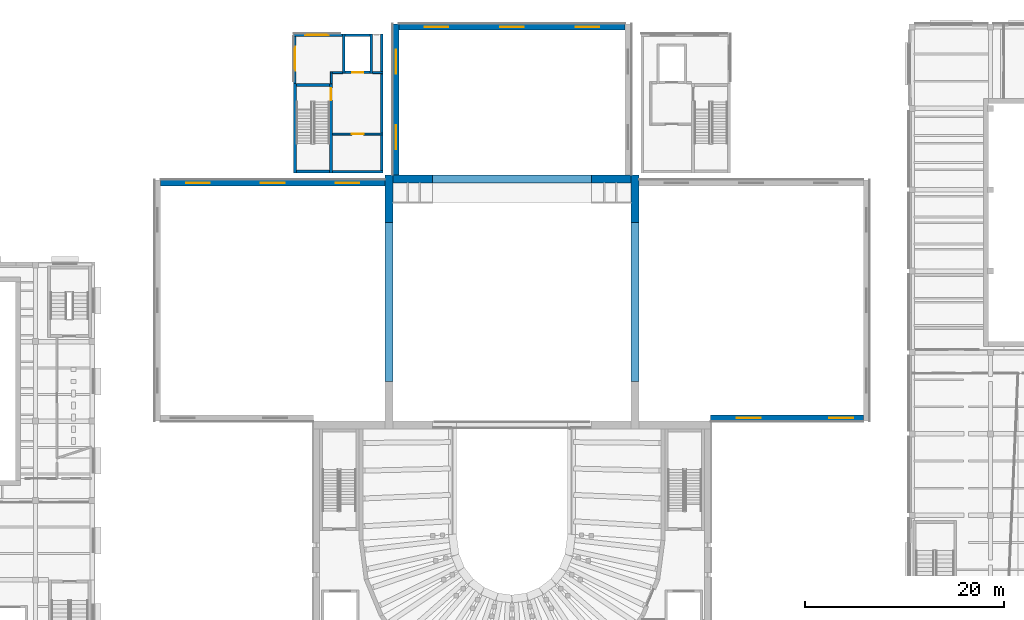
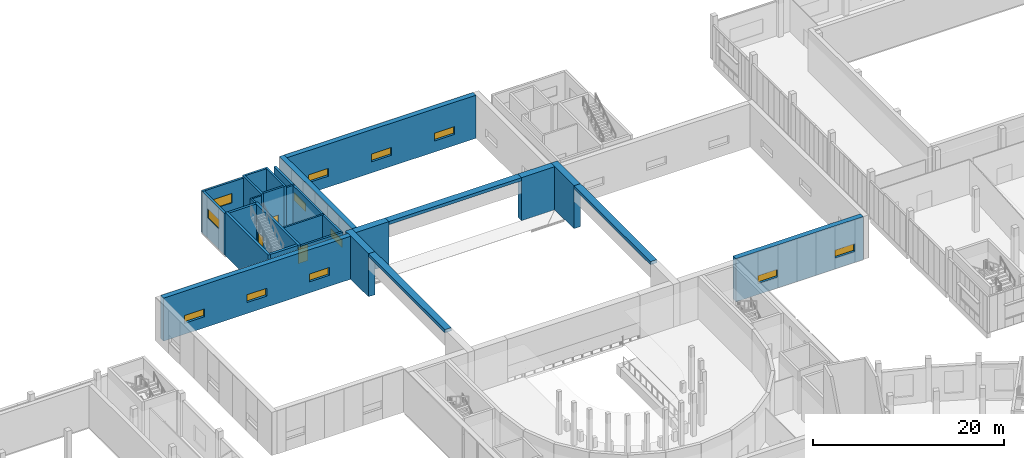
# One storey, part 40 of 87: 29 walls, 12 windows, 3 doors, 15 openings.
"""IFC4 building model written with IfcOpenShell, lengths in metres."""

from ifc_helpers import new_model, si_unit, direction, frame, frame_2d, origin, place, context, subcontext, project, spatial, rectangle, extrude, material, layer, layer_set, type_object, element, fill, save


model = new_model("IFC4")

# Units and contexts
model_context = context("Model", 3, precision=1e-05, world=origin(), true_north=direction((0.0, 1.0)))
body_context = subcontext(model_context, "Body", "Model", "MODEL_VIEW")
ifc_project = project(units=[si_unit("LENGTHUNIT", "METRE"), si_unit("AREAUNIT", "SQUARE_METRE"), si_unit("VOLUMEUNIT", "CUBIC_METRE"), si_unit("PLANEANGLEUNIT", "RADIAN"), si_unit("MASSUNIT", "GRAM", prefix="KILO")], contexts=[model_context])

# Site, building, storey
site_placement = place(None, origin())
site = spatial("IfcSite", under=ifc_project, at=site_placement, CompositionType="ELEMENT")
building_placement = place(site_placement, origin())
building = spatial("IfcBuilding", under=site, at=building_placement, Name="Lunette Opera House", CompositionType="ELEMENT")
storey_placement = place(building_placement, frame((0.0, 0.0, 11.5)))
storey = spatial("IfcBuildingStorey", under=building, at=storey_placement, Name="L02", CompositionType="ELEMENT", Elevation=11.5)

# Walls
ifc_material_1 = material(Name="Concrete C35/45", Category="concrete")
ifc_layer_1 = layer(ifc_material_1, 0.199951171875)
ifc_layer_set_1 = layer_set([ifc_layer_1], Name="Concrete C35/45")
wall_type_1 = type_object("IfcWallType", Name="LOBBY WALL 200", PredefinedType="PARTITIONING", material=ifc_layer_set_1)
for number, where, z_axis, x_axis, name in (
    (1, (83.0, 131.10009765625, 0.0), (0.0, 0.0, 1.0), (-1.0, 0.0, 0.0), "LL-SW lobby wall 2a"),
    (2, (78.929931640625, 131.10009765625, 0.0), (0.0, 0.0, 1.0), (-1.0, 0.0, 0.0), "LL-SW lobby wall 2b"),
):
    element("IfcWall", number, at=place(storey_placement, frame(where, z_axis=z_axis, x_axis=x_axis)), inside=storey, type_object=wall_type_1, Name=name, PredefinedType="PARTITIONING", context=body_context, shape_type="SweptSolid", body=[
        extrude(rectangle(XDim=1.030029296875, YDim=0.199951171875, at=frame_2d((0.51513671875, 0.0))), origin(), (0.0, 0.0, 1.0), 5.280029296875),
    ])
wall_1_placement = place(storey_placement, frame((77.800048828125, 131.199951171875, 0.0), z_axis=(0.0, 0.0, 1.0), x_axis=(0.0, -1.0, 0.0)))
element("IfcWall", 3, at=wall_1_placement, inside=storey, type_object=wall_type_1, Name="LL-SW lobby wall 3a", PredefinedType="PARTITIONING", context=body_context, shape_type="SweptSolid", body=[
    extrude(rectangle(XDim=1.2099609375, YDim=0.199951171875, at=frame_2d((0.60498046875, 0.0))), origin(), (0.0, 0.0, 1.0), 5.280029296875),
])

# Wall, opening, door
wall_2_placement = place(storey_placement, frame((77.919921875, 124.89990234375, 0.0), z_axis=(0.0, 0.0, 1.0), x_axis=(1.0, 0.0, 0.0)))
wall_2 = element("IfcWall", 4, at=wall_2_placement, inside=storey, type_object=wall_type_1, Name="LL-SW lobby wall 4a", PredefinedType="PARTITIONING", context=body_context, shape_type="SweptSolid", body=[
    extrude(rectangle(XDim=5.080078125, YDim=0.199951171875, at=frame_2d((2.5400390625, 0.0))), origin(), (0.0, 0.0, 1.0), 5.280029296875),
])
opening_1_placement = place(wall_2_placement, frame((1.93994140625, 0.0, 0.0)))
opening_1 = element("IfcOpeningElement", 5, at=opening_1_placement, cuts=wall_2, Name="Opening ST-D7036", PredefinedType="OPENING", context=body_context, shape_type="SweptSolid", body=[
    extrude(rectangle(XDim=1.199951171875, YDim=2.10009765625, at=frame_2d((0.60009765625, 1.050048828125))), frame((0.0, 0.112060546875, 0.0), z_axis=(0.0, -1.0, 0.0), x_axis=(1.0, 0.0, 0.0)), (0.0, 0.0, 1.0), 0.223876953125),
])
ifc_material_2 = material(Name="Steel", Category="steel")
door_type_1 = type_object("IfcDoorType", Name="FIRE DOOR 1200 X 2100", OperationType="SINGLE_SWING_LEFT", PredefinedType="DOOR", material=ifc_material_2)
door_1_placement = place(opening_1_placement, origin())
door_1 = element("IfcDoor", 6, at=door_1_placement, inside=storey, type_object=door_type_1, Name="LL-SW lobby door", OperationType="SINGLE_SWING_LEFT", OverallHeight=2.10009765625, OverallWidth=1.199951171875, PredefinedType="DOOR", context=body_context, shape_type="SweptSolid", body=[
    extrude(rectangle(XDim=1.199951171875, YDim=2.10009765625, at=frame_2d((0.60009765625, 1.050048828125))), frame((0.0, 0.02490234375, 0.0), z_axis=(0.0, -1.0, 0.0), x_axis=(1.0, 0.0, 0.0)), (0.0, 0.0, 1.0), 0.050048828125),
])
fill(opening_1, door_1)

# Walls
ifc_material_3 = material(Name="Concrete C35/45", Category="concrete")
ifc_layer_2 = layer(ifc_material_3, 0.25)
ifc_layer_set_2 = layer_set([ifc_layer_2], Name="Concrete C35/45")
wall_type_2 = type_object("IfcWallType", Name="RC LIFT SHAFT WALL 250", PredefinedType="SOLIDWALL", material=ifc_layer_set_2)
wall_3_placement = place(storey_placement, frame((81.824951171875, 131.0, 0.0), z_axis=(0.0, 0.0, 1.0), x_axis=(0.0, 1.0, 0.0)))
element("IfcWall", 7, at=wall_3_placement, inside=storey, type_object=wall_type_2, Name="LF7 shaft wall 1", PredefinedType="SOLIDWALL", context=body_context, shape_type="SweptSolid", body=[
    extrude(rectangle(XDim=4.0, YDim=0.25, at=frame_2d((2.0, 0.0))), origin(), (0.0, 0.0, 1.0), 5.5),
])
wall_4_placement = place(storey_placement, frame((81.699951171875, 134.875, 0.0), z_axis=(0.0, 0.0, 1.0), x_axis=(-1.0, 0.0, 0.0)))
element("IfcWall", 8, at=wall_4_placement, inside=storey, type_object=wall_type_2, Name="LF7 shaft wall 2", PredefinedType="SOLIDWALL", context=body_context, shape_type="SweptSolid", body=[
    extrude(rectangle(XDim=2.5, YDim=0.25, at=frame_2d((1.25, 0.0))), origin(), (0.0, 0.0, 1.0), 5.5),
])
wall_5_placement = place(storey_placement, frame((79.074951171875, 135.0, 0.0), z_axis=(0.0, 0.0, 1.0), x_axis=(0.0, -1.0, 0.0)))
element("IfcWall", 9, at=wall_5_placement, inside=storey, type_object=wall_type_2, Name="LF7 shaft wall 3", PredefinedType="SOLIDWALL", context=body_context, shape_type="SweptSolid", body=[
    extrude(rectangle(XDim=4.0, YDim=0.25, at=frame_2d((2.0, 0.0))), origin(), (0.0, 0.0, 1.0), 5.5),
])

# Wall, opening, door
wall_6_placement = place(storey_placement, frame((79.199951171875, 131.125, 0.0), z_axis=(0.0, 0.0, 1.0), x_axis=(1.0, 0.0, 0.0)))
wall_6 = element("IfcWall", 10, at=wall_6_placement, inside=storey, type_object=wall_type_2, Name="LF7 shaft wall 4", PredefinedType="SOLIDWALL", context=body_context, shape_type="SweptSolid", body=[
    extrude(rectangle(XDim=2.5, YDim=0.25, at=frame_2d((1.25, 0.0))), origin(), (0.0, 0.0, 1.0), 5.5),
])
opening_2_placement = place(wall_6_placement, frame((0.699951171875, 0.0, 0.0)))
opening_2 = element("IfcOpeningElement", 11, at=opening_2_placement, cuts=wall_6, Name="Opening ST-LD014", PredefinedType="OPENING", context=body_context, shape_type="SweptSolid", body=[
    extrude(rectangle(XDim=1.10009765625, YDim=2.10009765625, at=frame_2d((0.550048828125, 1.050048828125))), frame((0.0, 0.136962890625, 0.0), z_axis=(0.0, -1.0, 0.0), x_axis=(1.0, 0.0, 0.0)), (0.0, 0.0, 1.0), 0.27392578125),
])
ifc_material_4 = material(Name="Stainless steel", Category="steel")
door_type_2 = type_object("IfcDoorType", Name="LIFT LANDING DOOR 1100 X 2100", OperationType="DOUBLE_DOOR_SLIDING", PredefinedType="DOOR", material=ifc_material_4)
door_2_placement = place(opening_2_placement, origin())
door_2 = element("IfcDoor", 12, at=door_2_placement, inside=storey, type_object=door_type_2, Name="LF7 lift landing door", OperationType="DOUBLE_DOOR_SLIDING", OverallHeight=2.10009765625, OverallWidth=1.10009765625, PredefinedType="DOOR", context=body_context, shape_type="SweptSolid", body=[
    extrude(rectangle(XDim=1.10009765625, YDim=2.10009765625, at=frame_2d((0.550048828125, 1.050048828125))), frame((0.0, 0.02490234375, 0.0), z_axis=(0.0, -1.0, 0.0), x_axis=(1.0, 0.0, 0.0)), (0.0, 0.0, 1.0), 0.050048828125),
])
fill(opening_2, door_2)

ifc_material_5 = material(Name="Concrete C35/45", Category="concrete")
ifc_layer_3 = layer(ifc_material_5, 0.300048828125)
ifc_layer_set_3 = layer_set([ifc_layer_3], Name="Concrete C35/45")
wall_type_3 = type_object("IfcWallType", Name="RC STAIR ENCLOSURE WALL 300", PredefinedType="SOLIDWALL", material=ifc_layer_set_3)
wall_7_placement = place(storey_placement, frame((77.75, 121.0, 0.0), z_axis=(0.0, 0.0, 1.0), x_axis=(0.0, 1.0, 0.0)))
wall_7 = element("IfcWall", 13, at=wall_7_placement, inside=storey, type_object=wall_type_3, Name="ST11 enclosure wall 1", PredefinedType="SOLIDWALL", context=body_context, shape_type="SweptSolid", body=[
    extrude(rectangle(XDim=9.0, YDim=0.300048828125, at=frame_2d((4.5, 0.0))), origin(), (0.0, 0.0, 1.0), 5.5),
])
opening_3_placement = place(wall_7_placement, frame((7.324951171875, 0.0, 0.0)))
opening_3 = element("IfcOpeningElement", 14, at=opening_3_placement, cuts=wall_7, Name="Opening ST-D7005", PredefinedType="OPENING", context=body_context, shape_type="SweptSolid", body=[
    extrude(rectangle(XDim=1.199951171875, YDim=2.10009765625, at=frame_2d((0.60009765625, 1.050048828125))), frame((0.0, 0.162109375, 0.0), z_axis=(0.0, -1.0, 0.0), x_axis=(1.0, 0.0, 0.0)), (0.0, 0.0, 1.0), 0.323974609375),
])
door_3_placement = place(opening_3_placement, origin())
door_3 = element("IfcDoor", 15, at=door_3_placement, inside=storey, type_object=door_type_1, Name="ST11 stair door", OperationType="SINGLE_SWING_LEFT", OverallHeight=2.10009765625, OverallWidth=1.199951171875, PredefinedType="DOOR", context=body_context, shape_type="SweptSolid", body=[
    extrude(rectangle(XDim=1.199951171875, YDim=2.10009765625, at=frame_2d((0.60009765625, 1.050048828125))), frame((0.0, 0.02490234375, 0.0), z_axis=(0.0, -1.0, 0.0), x_axis=(1.0, 0.0, 0.0)), (0.0, 0.0, 1.0), 0.050048828125),
])
fill(opening_3, door_3)

# Walls
wall_8_placement = place(storey_placement, frame((77.60009765625, 129.85009765625, 0.0), z_axis=(0.0, 0.0, 1.0), x_axis=(-1.0, 0.0, 0.0)))
element("IfcWall", 16, at=wall_8_placement, inside=storey, type_object=wall_type_3, Name="ST11 enclosure wall 2", PredefinedType="SOLIDWALL", context=body_context, shape_type="SweptSolid", body=[
    extrude(rectangle(XDim=3.300048828125, YDim=0.300048828125, at=frame_2d((1.64990234375, 0.0))), origin(), (0.0, 0.0, 1.0), 5.5),
])
wall_9_placement = place(storey_placement, frame((74.14990234375, 130.0, 0.0), z_axis=(0.0, 0.0, 1.0), x_axis=(0.0, -1.0, 0.0)))
element("IfcWall", 17, at=wall_9_placement, inside=storey, type_object=wall_type_3, Name="ST11 enclosure wall 3", PredefinedType="SOLIDWALL", context=body_context, shape_type="SweptSolid", body=[
    extrude(rectangle(XDim=9.0, YDim=0.300048828125, at=frame_2d((4.5, 0.0))), origin(), (0.0, 0.0, 1.0), 5.5),
])
wall_10_placement = place(storey_placement, frame((74.300048828125, 121.14990234375, 0.0), z_axis=(0.0, 0.0, 1.0), x_axis=(1.0, 0.0, 0.0)))
element("IfcWall", 18, at=wall_10_placement, inside=storey, type_object=wall_type_3, Name="ST11 enclosure wall 4", PredefinedType="SOLIDWALL", context=body_context, shape_type="SweptSolid", body=[
    extrude(rectangle(XDim=3.300048828125, YDim=0.300048828125, at=frame_2d((1.64990234375, 0.0))), origin(), (0.0, 0.0, 1.0), 5.5),
])

# Wall, openings, windows
ifc_material_6 = material(Name="Concrete C35/45", Category="concrete")
ifc_layer_4 = layer(ifc_material_6, 0.60009765625)
ifc_layer_set_4 = layer_set([ifc_layer_4], Name="Concrete C35/45")
wall_type_4 = type_object("IfcWallType", Name="RC WALL 600", PredefinedType="SHEAR", material=ifc_layer_set_4)
wall_11_placement = place(storey_placement, frame((60.60009765625, 120.0, 0.0), z_axis=(0.0, 0.0, 1.0), x_axis=(1.0, 0.0, 0.0)))
wall_11 = element("IfcWall", 19, at=wall_11_placement, inside=storey, type_object=wall_type_4, Name="wall-ST-L02-SW-N-1", PredefinedType="SHEAR", context=body_context, shape_type="SweptSolid", body=[
    extrude(rectangle(XDim=22.599853515625, YDim=0.60009765625, at=frame_2d((11.2998046875, 0.0))), origin(), (0.0, 0.0, 1.0), 5.5),
])
opening_4_placement = place(wall_11_placement, frame((2.56689453125, 0.0, 1.39990234375)))
opening_4 = element("IfcOpeningElement", 20, at=opening_4_placement, cuts=wall_11, Name="Opening ST-N2087", PredefinedType="OPENING", context=body_context, shape_type="SweptSolid", body=[
    extrude(rectangle(XDim=2.39990234375, YDim=1.0, at=frame_2d((1.199951171875, 0.5))), frame((0.0, 0.31201171875, 0.0), z_axis=(0.0, -1.0, 0.0), x_axis=(1.0, 0.0, 0.0)), (0.0, 0.0, 1.0), 0.6240234375),
])
opening_5_placement = place(wall_11_placement, frame((10.10009765625, 0.0, 1.39990234375)))
opening_5 = element("IfcOpeningElement", 21, at=opening_5_placement, cuts=wall_11, Name="Opening ST-N2088", PredefinedType="OPENING", context=body_context, shape_type="SweptSolid", body=[
    extrude(rectangle(XDim=2.39990234375, YDim=1.0, at=frame_2d((1.199951171875, 0.5))), frame((0.0, 0.31201171875, 0.0), z_axis=(0.0, -1.0, 0.0), x_axis=(1.0, 0.0, 0.0)), (0.0, 0.0, 1.0), 0.6240234375),
])
opening_6_placement = place(wall_11_placement, frame((17.633056640625, 0.0, 1.39990234375)))
opening_6 = element("IfcOpeningElement", 22, at=opening_6_placement, cuts=wall_11, Name="Opening ST-N2089", PredefinedType="OPENING", context=body_context, shape_type="SweptSolid", body=[
    extrude(rectangle(XDim=2.39990234375, YDim=1.0, at=frame_2d((1.199951171875, 0.5))), frame((0.0, 0.31201171875, 0.0), z_axis=(0.0, -1.0, 0.0), x_axis=(1.0, 0.0, 0.0)), (0.0, 0.0, 1.0), 0.6240234375),
])
ifc_material_7 = material(Name="Aluminium", Category="aluminium")
window_type_1 = type_object("IfcWindowType", Name="STAGE CLERESTORY WINDOW 2400 X 1000", PartitioningType="SINGLE_PANEL", PredefinedType="WINDOW", material=ifc_material_7)
window_1_placement = place(opening_4_placement, origin())
window_1 = element("IfcWindow", 23, at=window_1_placement, inside=storey, type_object=window_type_1, Name="Stage Clerestory Window 2400 X 1000 SW-N1 L02", OverallHeight=1.0, OverallWidth=2.39990234375, PartitioningType="SINGLE_PANEL", PredefinedType="WINDOW", context=body_context, shape_type="SweptSolid", body=[
    extrude(rectangle(XDim=2.39990234375, YDim=1.0, at=frame_2d((1.199951171875, 0.5))), frame((0.0, 0.030029296875, 0.0), z_axis=(0.0, -1.0, 0.0), x_axis=(1.0, 0.0, 0.0)), (0.0, 0.0, 1.0), 0.06005859375),
])
fill(opening_4, window_1)
window_2_placement = place(opening_5_placement, origin())
window_2 = element("IfcWindow", 24, at=window_2_placement, inside=storey, type_object=window_type_1, Name="Stage Clerestory Window 2400 X 1000 SW-N2 L02", OverallHeight=1.0, OverallWidth=2.39990234375, PartitioningType="SINGLE_PANEL", PredefinedType="WINDOW", context=body_context, shape_type="SweptSolid", body=[
    extrude(rectangle(XDim=2.39990234375, YDim=1.0, at=frame_2d((1.199951171875, 0.5))), frame((0.0, 0.030029296875, 0.0), z_axis=(0.0, -1.0, 0.0), x_axis=(1.0, 0.0, 0.0)), (0.0, 0.0, 1.0), 0.06005859375),
])
fill(opening_5, window_2)
window_3_placement = place(opening_6_placement, origin())
window_3 = element("IfcWindow", 25, at=window_3_placement, inside=storey, type_object=window_type_1, Name="Stage Clerestory Window 2400 X 1000 SW-N3 L02", OverallHeight=1.0, OverallWidth=2.39990234375, PartitioningType="SINGLE_PANEL", PredefinedType="WINDOW", context=body_context, shape_type="SweptSolid", body=[
    extrude(rectangle(XDim=2.39990234375, YDim=1.0, at=frame_2d((1.199951171875, 0.5))), frame((0.0, 0.030029296875, 0.0), z_axis=(0.0, -1.0, 0.0), x_axis=(1.0, 0.0, 0.0)), (0.0, 0.0, 1.0), 0.06005859375),
])
fill(opening_6, window_3)

wall_12_placement = place(storey_placement, frame((116.010009765625, 96.300048828125, 0.0), z_axis=(0.0, 0.0, 1.0), x_axis=(1.0, 0.0, 0.0)))
wall_12 = element("IfcWall", 26, at=wall_12_placement, inside=storey, type_object=wall_type_4, Name="wall-ST-L02-SE-S-1", PredefinedType="SHEAR", context=body_context, shape_type="SweptSolid", body=[
    extrude(rectangle(XDim=15.389892578125, YDim=0.60009765625, at=frame_2d((7.69482421875, 0.0))), origin(), (0.0, 0.0, 1.0), 5.5),
])
opening_7_placement = place(wall_12_placement, frame((2.64697265625, 0.0, 1.39990234375)))
opening_7 = element("IfcOpeningElement", 27, at=opening_7_placement, cuts=wall_12, Name="Opening ST-N2109", PredefinedType="OPENING", context=body_context, shape_type="SweptSolid", body=[
    extrude(rectangle(XDim=2.39990234375, YDim=1.0, at=frame_2d((1.199951171875, 0.5))), frame((0.0, 0.31201171875, 0.0), z_axis=(0.0, -1.0, 0.0), x_axis=(1.0, 0.0, 0.0)), (0.0, 0.0, 1.0), 0.6240234375),
])
opening_8_placement = place(wall_12_placement, frame((11.943115234375, 0.0, 1.39990234375)))
opening_8 = element("IfcOpeningElement", 28, at=opening_8_placement, cuts=wall_12, Name="Opening ST-N2110", PredefinedType="OPENING", context=body_context, shape_type="SweptSolid", body=[
    extrude(rectangle(XDim=2.39990234375, YDim=1.0, at=frame_2d((1.199951171875, 0.5))), frame((0.0, 0.31201171875, 0.0), z_axis=(0.0, -1.0, 0.0), x_axis=(1.0, 0.0, 0.0)), (0.0, 0.0, 1.0), 0.6240234375),
])
window_4_placement = place(opening_7_placement, origin())
window_4 = element("IfcWindow", 29, at=window_4_placement, inside=storey, type_object=window_type_1, Name="Stage Clerestory Window 2400 X 1000 SE-S1 L02", OverallHeight=1.0, OverallWidth=2.39990234375, PartitioningType="SINGLE_PANEL", PredefinedType="WINDOW", context=body_context, shape_type="SweptSolid", body=[
    extrude(rectangle(XDim=2.39990234375, YDim=1.0, at=frame_2d((1.199951171875, 0.5))), frame((0.0, 0.030029296875, 0.0), z_axis=(0.0, -1.0, 0.0), x_axis=(1.0, 0.0, 0.0)), (0.0, 0.0, 1.0), 0.06005859375),
])
fill(opening_7, window_4)
window_5_placement = place(opening_8_placement, origin())
window_5 = element("IfcWindow", 30, at=window_5_placement, inside=storey, type_object=window_type_1, Name="Stage Clerestory Window 2400 X 1000 SE-S2 L02", OverallHeight=1.0, OverallWidth=2.39990234375, PartitioningType="SINGLE_PANEL", PredefinedType="WINDOW", context=body_context, shape_type="SweptSolid", body=[
    extrude(rectangle(XDim=2.39990234375, YDim=1.0, at=frame_2d((1.199951171875, 0.5))), frame((0.0, 0.030029296875, 0.0), z_axis=(0.0, -1.0, 0.0), x_axis=(1.0, 0.0, 0.0)), (0.0, 0.0, 1.0), 0.06005859375),
])
fill(opening_8, window_5)

wall_13_placement = place(storey_placement, frame((84.300048828125, 120.800048828125, 0.0), z_axis=(0.0, 0.0, 1.0), x_axis=(0.0, 1.0, 0.0)))
wall_13 = element("IfcWall", 31, at=wall_13_placement, inside=storey, type_object=wall_type_4, Name="wall-ST-L02-SR-W-1", PredefinedType="SHEAR", context=body_context, shape_type="SweptSolid", body=[
    extrude(rectangle(XDim=15.199951171875, YDim=0.60009765625, at=frame_2d((7.60009765625, 0.0))), origin(), (0.0, 0.0, 1.0), 5.5),
])
opening_9_placement = place(wall_13_placement, frame((2.60009765625, 0.0, 1.39990234375)))
opening_9 = element("IfcOpeningElement", 32, at=opening_9_placement, cuts=wall_13, Name="Opening ST-N2113", PredefinedType="OPENING", context=body_context, shape_type="SweptSolid", body=[
    extrude(rectangle(XDim=2.39990234375, YDim=1.0, at=frame_2d((1.199951171875, 0.5))), frame((0.0, 0.31201171875, 0.0), z_axis=(0.0, -1.0, 0.0), x_axis=(1.0, 0.0, 0.0)), (0.0, 0.0, 1.0), 0.6240234375),
])
opening_10_placement = place(wall_13_placement, frame((10.199951171875, 0.0, 1.39990234375)))
opening_10 = element("IfcOpeningElement", 33, at=opening_10_placement, cuts=wall_13, Name="Opening ST-N2114", PredefinedType="OPENING", context=body_context, shape_type="SweptSolid", body=[
    extrude(rectangle(XDim=2.39990234375, YDim=1.0, at=frame_2d((1.199951171875, 0.5))), frame((0.0, 0.31201171875, 0.0), z_axis=(0.0, -1.0, 0.0), x_axis=(1.0, 0.0, 0.0)), (0.0, 0.0, 1.0), 0.6240234375),
])
window_6_placement = place(opening_9_placement, origin())
window_6 = element("IfcWindow", 34, at=window_6_placement, inside=storey, type_object=window_type_1, Name="Stage Clerestory Window 2400 X 1000 SR-W1 L02", OverallHeight=1.0, OverallWidth=2.39990234375, PartitioningType="SINGLE_PANEL", PredefinedType="WINDOW", context=body_context, shape_type="SweptSolid", body=[
    extrude(rectangle(XDim=2.39990234375, YDim=1.0, at=frame_2d((1.199951171875, 0.5))), frame((0.0, 0.030029296875, 0.0), z_axis=(0.0, -1.0, 0.0), x_axis=(1.0, 0.0, 0.0)), (0.0, 0.0, 1.0), 0.06005859375),
])
fill(opening_9, window_6)
window_7_placement = place(opening_10_placement, origin())
window_7 = element("IfcWindow", 35, at=window_7_placement, inside=storey, type_object=window_type_1, Name="Stage Clerestory Window 2400 X 1000 SR-W2 L02", OverallHeight=1.0, OverallWidth=2.39990234375, PartitioningType="SINGLE_PANEL", PredefinedType="WINDOW", context=body_context, shape_type="SweptSolid", body=[
    extrude(rectangle(XDim=2.39990234375, YDim=1.0, at=frame_2d((1.199951171875, 0.5))), frame((0.0, 0.030029296875, 0.0), z_axis=(0.0, -1.0, 0.0), x_axis=(1.0, 0.0, 0.0)), (0.0, 0.0, 1.0), 0.06005859375),
])
fill(opening_10, window_7)

wall_14_placement = place(storey_placement, frame((84.60009765625, 135.699951171875, 0.0), z_axis=(0.0, 0.0, 1.0), x_axis=(1.0, 0.0, 0.0)))
wall_14 = element("IfcWall", 36, at=wall_14_placement, inside=storey, type_object=wall_type_4, Name="wall-ST-L02-SR-N-1", PredefinedType="SHEAR", context=body_context, shape_type="SweptSolid", body=[
    extrude(rectangle(XDim=22.7998046875, YDim=0.60009765625, at=frame_2d((11.39990234375, 0.0))), origin(), (0.0, 0.0, 1.0), 5.5),
])
opening_11_placement = place(wall_14_placement, frame((2.60009765625, 0.0, 1.39990234375)))
opening_11 = element("IfcOpeningElement", 37, at=opening_11_placement, cuts=wall_14, Name="Opening ST-N2121", PredefinedType="OPENING", context=body_context, shape_type="SweptSolid", body=[
    extrude(rectangle(XDim=2.39990234375, YDim=1.0, at=frame_2d((1.199951171875, 0.5))), frame((0.0, 0.31201171875, 0.0), z_axis=(0.0, -1.0, 0.0), x_axis=(1.0, 0.0, 0.0)), (0.0, 0.0, 1.0), 0.6240234375),
])
opening_12_placement = place(wall_14_placement, frame((10.199951171875, 0.0, 1.39990234375)))
opening_12 = element("IfcOpeningElement", 38, at=opening_12_placement, cuts=wall_14, Name="Opening ST-N2122", PredefinedType="OPENING", context=body_context, shape_type="SweptSolid", body=[
    extrude(rectangle(XDim=2.39990234375, YDim=1.0, at=frame_2d((1.199951171875, 0.5))), frame((0.0, 0.31201171875, 0.0), z_axis=(0.0, -1.0, 0.0), x_axis=(1.0, 0.0, 0.0)), (0.0, 0.0, 1.0), 0.6240234375),
])
opening_13_placement = place(wall_14_placement, frame((17.800048828125, 0.0, 1.39990234375)))
opening_13 = element("IfcOpeningElement", 39, at=opening_13_placement, cuts=wall_14, Name="Opening ST-N2123", PredefinedType="OPENING", context=body_context, shape_type="SweptSolid", body=[
    extrude(rectangle(XDim=2.39990234375, YDim=1.0, at=frame_2d((1.199951171875, 0.5))), frame((0.0, 0.31201171875, 0.0), z_axis=(0.0, -1.0, 0.0), x_axis=(1.0, 0.0, 0.0)), (0.0, 0.0, 1.0), 0.6240234375),
])
window_8_placement = place(opening_11_placement, origin())
window_8 = element("IfcWindow", 40, at=window_8_placement, inside=storey, type_object=window_type_1, Name="Stage Clerestory Window 2400 X 1000 SR-N1 L02", OverallHeight=1.0, OverallWidth=2.39990234375, PartitioningType="SINGLE_PANEL", PredefinedType="WINDOW", context=body_context, shape_type="SweptSolid", body=[
    extrude(rectangle(XDim=2.39990234375, YDim=1.0, at=frame_2d((1.199951171875, 0.5))), frame((0.0, 0.030029296875, 0.0), z_axis=(0.0, -1.0, 0.0), x_axis=(1.0, 0.0, 0.0)), (0.0, 0.0, 1.0), 0.06005859375),
])
fill(opening_11, window_8)
window_9_placement = place(opening_12_placement, origin())
window_9 = element("IfcWindow", 41, at=window_9_placement, inside=storey, type_object=window_type_1, Name="Stage Clerestory Window 2400 X 1000 SR-N2 L02", OverallHeight=1.0, OverallWidth=2.39990234375, PartitioningType="SINGLE_PANEL", PredefinedType="WINDOW", context=body_context, shape_type="SweptSolid", body=[
    extrude(rectangle(XDim=2.39990234375, YDim=1.0, at=frame_2d((1.199951171875, 0.5))), frame((0.0, 0.030029296875, 0.0), z_axis=(0.0, -1.0, 0.0), x_axis=(1.0, 0.0, 0.0)), (0.0, 0.0, 1.0), 0.06005859375),
])
fill(opening_12, window_9)
window_10_placement = place(opening_13_placement, origin())
window_10 = element("IfcWindow", 42, at=window_10_placement, inside=storey, type_object=window_type_1, Name="Stage Clerestory Window 2400 X 1000 SR-N3 L02", OverallHeight=1.0, OverallWidth=2.39990234375, PartitioningType="SINGLE_PANEL", PredefinedType="WINDOW", context=body_context, shape_type="SweptSolid", body=[
    extrude(rectangle(XDim=2.39990234375, YDim=1.0, at=frame_2d((1.199951171875, 0.5))), frame((0.0, 0.030029296875, 0.0), z_axis=(0.0, -1.0, 0.0), x_axis=(1.0, 0.0, 0.0)), (0.0, 0.0, 1.0), 0.06005859375),
])
fill(opening_13, window_10)

# Walls
ifc_material_8 = material(Name="Concrete C40/50", Category="concrete")
ifc_layer_5 = layer(ifc_material_8, 0.800048828125)
ifc_layer_set_5 = layer_set([ifc_layer_5], Name="Concrete C40/50")
wall_type_5 = type_object("IfcWallType", Name="RC WALL 800", PredefinedType="SHEAR", material=ifc_layer_set_5)
wall_15_placement = place(storey_placement, frame((83.60009765625, 100.0, 5.10009765625), z_axis=(0.0, 0.0, 1.0), x_axis=(0.0, 1.0, 0.0)))
element("IfcWall", 43, at=wall_15_placement, inside=storey, type_object=wall_type_5, Name="wall-ST-L02-WW-2", PredefinedType="SHEAR", context=body_context, shape_type="SweptSolid", body=[
    extrude(rectangle(XDim=16.0, YDim=0.800048828125, at=frame_2d((8.0, 0.0))), origin(), (0.0, 0.0, 1.0), 0.39990234375),
])
wall_16_placement = place(storey_placement, frame((83.60009765625, 116.0, 0.0), z_axis=(0.0, 0.0, 1.0), x_axis=(0.0, 1.0, 0.0)))
element("IfcWall", 44, at=wall_16_placement, inside=storey, type_object=wall_type_5, Name="wall-ST-L02-WW-3", PredefinedType="SHEAR", context=body_context, shape_type="SweptSolid", body=[
    extrude(rectangle(XDim=4.800048828125, YDim=0.800048828125, at=frame_2d((2.39990234375, 0.0))), origin(), (0.0, 0.0, 1.0), 5.5),
])
wall_17_placement = place(storey_placement, frame((108.39990234375, 100.0, 5.10009765625), z_axis=(0.0, 0.0, 1.0), x_axis=(0.0, 1.0, 0.0)))
element("IfcWall", 45, at=wall_17_placement, inside=storey, type_object=wall_type_5, Name="wall-ST-L02-WE-2", PredefinedType="SHEAR", context=body_context, shape_type="SweptSolid", body=[
    extrude(rectangle(XDim=16.0, YDim=0.800048828125, at=frame_2d((8.0, 0.0))), origin(), (0.0, 0.0, 1.0), 0.39990234375),
])
wall_18_placement = place(storey_placement, frame((108.39990234375, 116.0, 0.0), z_axis=(0.0, 0.0, 1.0), x_axis=(0.0, 1.0, 0.0)))
element("IfcWall", 46, at=wall_18_placement, inside=storey, type_object=wall_type_5, Name="wall-ST-L02-WE-3", PredefinedType="SHEAR", context=body_context, shape_type="SweptSolid", body=[
    extrude(rectangle(XDim=4.800048828125, YDim=0.800048828125, at=frame_2d((2.39990234375, 0.0))), origin(), (0.0, 0.0, 1.0), 5.5),
])
wall_19_placement = place(storey_placement, frame((84.0, 120.39990234375, 0.0), z_axis=(0.0, 0.0, 1.0), x_axis=(1.0, 0.0, 0.0)))
element("IfcWall", 47, at=wall_19_placement, inside=storey, type_object=wall_type_5, Name="wall-ST-L02-WN-1", PredefinedType="SHEAR", context=body_context, shape_type="SweptSolid", body=[
    extrude(rectangle(XDim=4.0, YDim=0.800048828125, at=frame_2d((2.0, 0.0))), origin(), (0.0, 0.0, 1.0), 5.5),
])
wall_20_placement = place(storey_placement, frame((88.0, 120.39990234375, 5.10009765625), z_axis=(0.0, 0.0, 1.0), x_axis=(1.0, 0.0, 0.0)))
element("IfcWall", 48, at=wall_20_placement, inside=storey, type_object=wall_type_5, Name="wall-ST-L02-WN-2", PredefinedType="SHEAR", context=body_context, shape_type="SweptSolid", body=[
    extrude(rectangle(XDim=16.0, YDim=0.800048828125, at=frame_2d((8.0, 0.0))), origin(), (0.0, 0.0, 1.0), 0.39990234375),
])
wall_21_placement = place(storey_placement, frame((104.0, 120.39990234375, 0.0), z_axis=(0.0, 0.0, 1.0), x_axis=(1.0, 0.0, 0.0)))
element("IfcWall", 49, at=wall_21_placement, inside=storey, type_object=wall_type_5, Name="wall-ST-L02-WN-3", PredefinedType="SHEAR", context=body_context, shape_type="SweptSolid", body=[
    extrude(rectangle(XDim=4.0, YDim=0.800048828125, at=frame_2d((2.0, 0.0))), origin(), (0.0, 0.0, 1.0), 5.5),
])

# Wall, opening, window
ifc_material_9 = material(Name="Insulated aluminium sandwich panel", Category="aluminium")
ifc_layer_6 = layer(ifc_material_9, 0.25)
ifc_layer_set_6 = layer_set([ifc_layer_6], Name="Insulated aluminium sandwich panel")
wall_type_6 = type_object("IfcWallType", Name="STAGE TOWER WALL 250", PredefinedType="SOLIDWALL", material=ifc_layer_set_6)
wall_22_placement = place(storey_placement, frame((78.947998046875, 134.875, 0.0), z_axis=(0.0, 0.0, 1.0), x_axis=(-1.0, 0.0, 0.0)))
wall_22 = element("IfcWall", 50, at=wall_22_placement, inside=storey, type_object=wall_type_6, Name="Stage Tower Wall 250 TW-011 L02", PredefinedType="SOLIDWALL", context=body_context, shape_type="SweptSolid", body=[
    extrude(rectangle(XDim=4.947998046875, YDim=0.25, at=frame_2d((2.47412109375, 0.0))), origin(), (0.0, 0.0, 1.0), 5.280029296875),
])
opening_14_placement = place(wall_22_placement, frame((1.39599609375, 0.0, 2.60009765625)))
opening_14 = element("IfcOpeningElement", 51, at=opening_14_placement, cuts=wall_22, Name="Opening ST-N2132", PredefinedType="OPENING", context=body_context, shape_type="SweptSolid", body=[
    extrude(rectangle(XDim=2.39990234375, YDim=1.199951171875, at=frame_2d((1.199951171875, 0.60009765625))), frame((0.0, 0.136962890625, 0.0), z_axis=(0.0, -1.0, 0.0), x_axis=(1.0, 0.0, 0.0)), (0.0, 0.0, 1.0), 0.27392578125),
])
ifc_material_10 = material(Name="Aluminium", Category="aluminium")
window_type_2 = type_object("IfcWindowType", Name="TOWER RIBBON WINDOW 2400 X 1200", PartitioningType="SINGLE_PANEL", PredefinedType="WINDOW", material=ifc_material_10)
window_11_placement = place(opening_14_placement, origin())
window_11 = element("IfcWindow", 52, at=window_11_placement, inside=storey, type_object=window_type_2, Name="Tower Ribbon Window 2400 X 1200 TTW11-1 L02", OverallHeight=1.199951171875, OverallWidth=2.39990234375, PartitioningType="SINGLE_PANEL", PredefinedType="WINDOW", context=body_context, shape_type="SweptSolid", body=[
    extrude(rectangle(XDim=2.39990234375, YDim=1.199951171875, at=frame_2d((1.199951171875, 0.60009765625))), frame((0.0, 0.030029296875, 0.0), z_axis=(0.0, -1.0, 0.0), x_axis=(1.0, 0.0, 0.0)), (0.0, 0.0, 1.0), 0.06005859375),
])
fill(opening_14, window_11)

wall_23_placement = place(storey_placement, frame((74.125, 134.75, 0.0), z_axis=(0.0, 0.0, 1.0), x_axis=(0.0, -1.0, 0.0)))
wall_23 = element("IfcWall", 53, at=wall_23_placement, inside=storey, type_object=wall_type_6, Name="Stage Tower Wall 250 TW-012 L02", PredefinedType="SOLIDWALL", context=body_context, shape_type="SweptSolid", body=[
    extrude(rectangle(XDim=4.7548828125, YDim=0.25, at=frame_2d((2.37744140625, 0.0))), origin(), (0.0, 0.0, 1.0), 5.280029296875),
])
opening_15_placement = place(wall_23_placement, frame((1.050048828125, 0.0, 2.60009765625)))
opening_15 = element("IfcOpeningElement", 54, at=opening_15_placement, cuts=wall_23, Name="Opening ST-N2133", PredefinedType="OPENING", context=body_context, shape_type="SweptSolid", body=[
    extrude(rectangle(XDim=2.39990234375, YDim=1.199951171875, at=frame_2d((1.199951171875, 0.60009765625))), frame((0.0, 0.136962890625, 0.0), z_axis=(0.0, -1.0, 0.0), x_axis=(1.0, 0.0, 0.0)), (0.0, 0.0, 1.0), 0.27392578125),
])
window_12_placement = place(opening_15_placement, origin())
window_12 = element("IfcWindow", 55, at=window_12_placement, inside=storey, type_object=window_type_2, Name="Tower Ribbon Window 2400 X 1200 TTW12-1 L02", OverallHeight=1.199951171875, OverallWidth=2.39990234375, PartitioningType="SINGLE_PANEL", PredefinedType="WINDOW", context=body_context, shape_type="SweptSolid", body=[
    extrude(rectangle(XDim=2.39990234375, YDim=1.199951171875, at=frame_2d((1.199951171875, 0.60009765625))), frame((0.0, 0.030029296875, 0.0), z_axis=(0.0, -1.0, 0.0), x_axis=(1.0, 0.0, 0.0)), (0.0, 0.0, 1.0), 0.06005859375),
])
fill(opening_15, window_12)

# Walls
wall_24_placement = place(storey_placement, frame((77.89794921875, 121.125, 0.0), z_axis=(0.0, 0.0, 1.0), x_axis=(1.0, 0.0, 0.0)))
element("IfcWall", 56, at=wall_24_placement, inside=storey, type_object=wall_type_6, Name="Stage Tower Wall 250 TW-013 L02", PredefinedType="SOLIDWALL", context=body_context, shape_type="SweptSolid", body=[
    extrude(rectangle(XDim=5.10205078125, YDim=0.25, at=frame_2d((2.551025390625, 0.0))), origin(), (0.0, 0.0, 1.0), 5.280029296875),
])
wall_25_placement = place(storey_placement, frame((82.875, 121.25, 0.0), z_axis=(0.0, 0.0, 1.0), x_axis=(0.0, 1.0, 0.0)))
element("IfcWall", 57, at=wall_25_placement, inside=storey, type_object=wall_type_6, Name="Stage Tower Wall 250 TW-014 L02", PredefinedType="SOLIDWALL", context=body_context, shape_type="SweptSolid", body=[
    extrude(rectangle(XDim=3.554931640625, YDim=0.25, at=frame_2d((1.77734375, 0.0))), origin(), (0.0, 0.0, 1.0), 5.280029296875),
])
wall_26_placement = place(storey_placement, frame((82.875, 124.9951171875, 0.0), z_axis=(0.0, 0.0, 1.0), x_axis=(0.0, 1.0, 0.0)))
element("IfcWall", 58, at=wall_26_placement, inside=storey, type_object=wall_type_6, Name="Stage Tower Wall 250 TW-015 L02", PredefinedType="SOLIDWALL", context=body_context, shape_type="SweptSolid", body=[
    extrude(rectangle(XDim=6.009765625, YDim=0.25, at=frame_2d((3.0048828125, 0.0))), origin(), (0.0, 0.0, 1.0), 5.280029296875),
])
wall_27_placement = place(storey_placement, frame((82.875, 131.195068359375, 0.0), z_axis=(0.0, 0.0, 1.0), x_axis=(0.0, 1.0, 0.0)))
element("IfcWall", 59, at=wall_27_placement, inside=storey, type_object=wall_type_6, Name="Stage Tower Wall 250 TW-016 L02", PredefinedType="SOLIDWALL", context=body_context, shape_type="SweptSolid", body=[
    extrude(rectangle(XDim=3.804931640625, YDim=0.25, at=frame_2d((1.90234375, 0.0))), origin(), (0.0, 0.0, 1.0), 5.280029296875),
])

save(model, "model.ifc")
